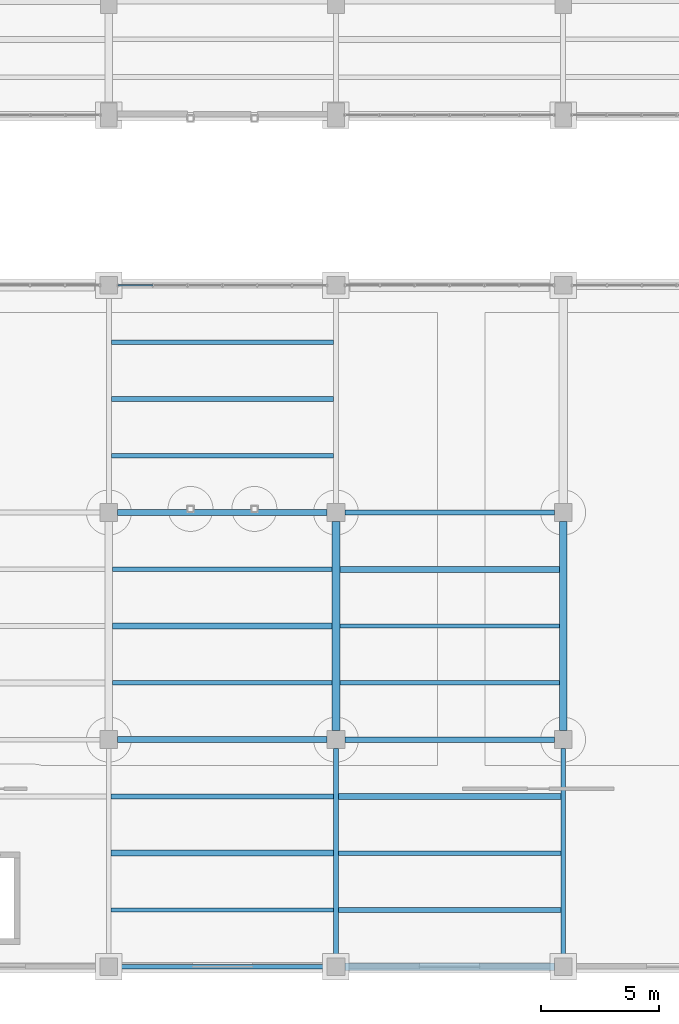
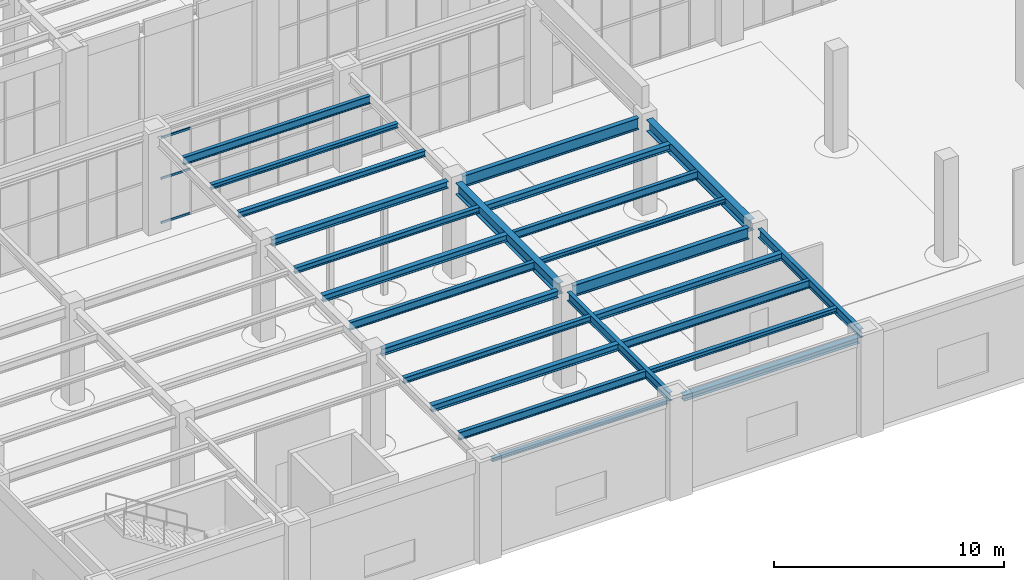
# One storey, part 91 of 164: 25 beams, 3 members, 1 element without a shape of its own.
"""IFC4 building model written with IfcOpenShell, lengths in metres."""

from ifc_helpers import new_model, si_unit, direction, frame, origin, origin_2d, place, context, subcontext, project, spatial, hollow_rectangle, i_section, extrude, material, material_profile, profile_set, type_object, element, aggregate, save


model = new_model("IFC4")

# Units and contexts
model_context = context("Model", 3, precision=1e-05, world=origin(), true_north=direction((0.0, 1.0)))
body_context = subcontext(model_context, "Body", "Model", "MODEL_VIEW")
ifc_project = project(units=[si_unit("LENGTHUNIT", "METRE"), si_unit("AREAUNIT", "SQUARE_METRE"), si_unit("VOLUMEUNIT", "CUBIC_METRE"), si_unit("PLANEANGLEUNIT", "RADIAN"), si_unit("MASSUNIT", "GRAM", prefix="KILO")], contexts=[model_context])

# Site, building, storey
site_placement = place(None, origin())
site = spatial("IfcSite", under=ifc_project, at=site_placement, CompositionType="ELEMENT")
building_placement = place(site_placement, origin())
building = spatial("IfcBuilding", under=site, at=building_placement, Name="Mavantir Sound Aquarium", CompositionType="ELEMENT")
storey_placement = place(building_placement, origin())
storey = spatial("IfcBuildingStorey", under=building, at=storey_placement, Name="L00", CompositionType="ELEMENT", Elevation=0.0)

# Beams
ifc_material_1 = material(Name="Structural Steel ASTM A992 Gr50", Category="steel")
ifc_material_profile_1 = material_profile(ifc_material_1, i_section(OverallWidth=0.202880859375, OverallDepth=0.202880859375, WebThickness=0.007080078125, FlangeThickness=0.010986328125, FilletRadius=0.010009765625, at=origin_2d()), Name="W200X46")
ifc_profile_set_1 = profile_set([ifc_material_profile_1], Name="Structural Steel ASTM A992 Gr50")
beam_type_1 = type_object("IfcBeamType", Name="BM-W200X46-E", PredefinedType="LINTEL", material=ifc_profile_set_1)
beam_1_placement = place(storey_placement, frame((127.574951171875, 0.0, 4.944580078125), z_axis=(1.0, 0.0, 0.0), x_axis=(0.0, 1.0, 0.0)))
element("IfcBeam", 1, at=beam_1_placement, inside=storey, type_object=beam_type_1, Name="L00 primary beam SL-20 1072", PredefinedType="LINTEL", context=body_context, shape_type="SweptSolid", body=[
    extrude(i_section(OverallWidth=0.202880859375, OverallDepth=0.202880859375, WebThickness=0.007080078125, FlangeThickness=0.010986328125, FilletRadius=0.010009765625, at=origin_2d()), origin(), (0.0, 0.0, 1.0), 8.85009765625),
])
ifc_material_profile_2 = material_profile(ifc_material_1, i_section(OverallWidth=0.202880859375, OverallDepth=0.251953125, WebThickness=0.008056640625, FlangeThickness=0.013427734375, FilletRadius=0.011962890625, at=origin_2d()), Name="W250X58")
ifc_profile_set_2 = profile_set([ifc_material_profile_2], Name="Structural Steel ASTM A992 Gr50")
beam_type_2 = type_object("IfcBeamType", Name="BM-W250X58-I", PredefinedType="JOIST", material=ifc_profile_set_2)
beam_2_placement = place(storey_placement, frame((136.89697265625, 2.39990234375, 4.919921875), z_axis=(1.0, 0.0, 0.0), x_axis=(0.0, 1.0, 0.0)))
element("IfcBeam", 2, at=beam_2_placement, inside=storey, type_object=beam_type_2, Name="L00 secondary floor joist SJ-25 616", PredefinedType="JOIST", context=body_context, shape_type="SweptSolid", body=[
    extrude(i_section(OverallWidth=0.202880859375, OverallDepth=0.251953125, WebThickness=0.008056640625, FlangeThickness=0.013427734375, FilletRadius=0.011962890625, at=origin_2d()), origin(), (0.0, 0.0, 1.0), 9.406005859375),
])
beam_3_placement = place(storey_placement, frame((136.9619140625, 12.0, 4.919921875), z_axis=(1.0, 0.0, 0.0), x_axis=(0.0, 1.0, 0.0)))
element("IfcBeam", 3, at=beam_3_placement, inside=storey, type_object=beam_type_2, Name="L00 secondary floor joist SJ-25 628", PredefinedType="JOIST", context=body_context, shape_type="SweptSolid", body=[
    extrude(i_section(OverallWidth=0.202880859375, OverallDepth=0.251953125, WebThickness=0.008056640625, FlangeThickness=0.013427734375, FilletRadius=0.011962890625, at=origin_2d()), origin(), (0.0, 0.0, 1.0), 9.276123046875),
])
beam_4_placement = place(storey_placement, frame((127.305908203125, 24.0, 4.989990234375), z_axis=(1.0, 0.0, 0.0), x_axis=(0.0, 1.0, 0.0)))
element("IfcBeam", 4, at=beam_4_placement, inside=storey, type_object=beam_type_2, Name="L00 secondary floor joist SJ-25 632", PredefinedType="JOIST", context=body_context, shape_type="SweptSolid", body=[
    extrude(i_section(OverallWidth=0.202880859375, OverallDepth=0.251953125, WebThickness=0.008056640625, FlangeThickness=0.013427734375, FilletRadius=0.011962890625, at=origin_2d()), origin(), (0.0, 0.0, 1.0), 9.38818359375),
])
ifc_material_profile_3 = material_profile(ifc_material_1, i_section(OverallWidth=0.205078125, OverallDepth=0.31005859375, WebThickness=0.009521484375, FlangeThickness=0.016357421875, FilletRadius=0.012939453125, at=origin_2d()), Name="W310X74")
ifc_profile_set_3 = profile_set([ifc_material_profile_3], Name="Structural Steel ASTM A992 Gr50")
beam_type_3 = type_object("IfcBeamType", Name="BM-W310X74-I", PredefinedType="JOIST", material=ifc_profile_set_3)
beam_5_placement = place(storey_placement, frame((127.297119140625, 7.199951171875, 4.89111328125), z_axis=(1.0, 0.0, 0.0), x_axis=(0.0, 1.0, 0.0)))
element("IfcBeam", 5, at=beam_5_placement, inside=storey, type_object=beam_type_3, Name="L00 secondary floor joist SJ-31 615", PredefinedType="JOIST", context=body_context, shape_type="SweptSolid", body=[
    extrude(i_section(OverallWidth=0.205078125, OverallDepth=0.31005859375, WebThickness=0.009521484375, FlangeThickness=0.016357421875, FilletRadius=0.012939453125, at=origin_2d()), origin(), (0.0, 0.0, 1.0), 9.40576171875),
])
beam_6_placement = place(storey_placement, frame((127.362060546875, 16.800048828125, 4.89111328125), z_axis=(1.0, 0.0, 0.0), x_axis=(0.0, 1.0, 0.0)))
element("IfcBeam", 6, at=beam_6_placement, inside=storey, type_object=beam_type_3, Name="L00 secondary floor joist SJ-31 627", PredefinedType="JOIST", context=body_context, shape_type="SweptSolid", body=[
    extrude(i_section(OverallWidth=0.205078125, OverallDepth=0.31005859375, WebThickness=0.009521484375, FlangeThickness=0.016357421875, FilletRadius=0.012939453125, at=origin_2d()), origin(), (0.0, 0.0, 1.0), 9.27587890625),
])
beam_7_placement = place(storey_placement, frame((127.305908203125, 21.60009765625, 4.9609375), z_axis=(1.0, 0.0, 0.0), x_axis=(0.0, 1.0, 0.0)))
element("IfcBeam", 7, at=beam_7_placement, inside=storey, type_object=beam_type_3, Name="L00 secondary floor joist SJ-31 631", PredefinedType="JOIST", context=body_context, shape_type="SweptSolid", body=[
    extrude(i_section(OverallWidth=0.205078125, OverallDepth=0.31005859375, WebThickness=0.009521484375, FlangeThickness=0.016357421875, FilletRadius=0.012939453125, at=origin_2d()), origin(), (0.0, 0.0, 1.0), 9.38818359375),
])
ifc_material_profile_4 = material_profile(ifc_material_1, i_section(OverallWidth=0.304931640625, OverallDepth=0.30810546875, WebThickness=0.010009765625, FlangeThickness=0.015380859375, FilletRadius=0.014892578125, at=origin_2d()), Name="W310X97")
ifc_profile_set_4 = profile_set([ifc_material_profile_4], Name="Structural Steel ASTM A992 Gr50")
beam_type_4 = type_object("IfcBeamType", Name="BM-W310X97-E", PredefinedType="SPANDREL", material=ifc_profile_set_4)
beam_8_placement = place(storey_placement, frame((137.175048828125, 0.0, 4.89208984375), z_axis=(1.0, 0.0, 0.0), x_axis=(0.0, 1.0, 0.0)))
element("IfcBeam", 8, at=beam_8_placement, inside=storey, type_object=beam_type_4, Name="L00 primary beam SS-31A 1073", PredefinedType="SPANDREL", context=body_context, shape_type="SweptSolid", body=[
    extrude(i_section(OverallWidth=0.304931640625, OverallDepth=0.30810546875, WebThickness=0.010009765625, FlangeThickness=0.015380859375, FilletRadius=0.014892578125, at=origin_2d()), origin(), (0.0, 0.0, 1.0), 8.849853515625),
])
ifc_material_profile_5 = material_profile(ifc_material_1, i_section(OverallWidth=0.257080078125, OverallDepth=0.363037109375, WebThickness=0.012939453125, FlangeThickness=0.021728515625, FilletRadius=0.014892578125, at=origin_2d()), Name="W360X122")
ifc_profile_set_5 = profile_set([ifc_material_profile_5], Name="Structural Steel ASTM A992 Gr50")
beam_type_5 = type_object("IfcBeamType", Name="BM-W360X122-I", PredefinedType="BEAM", material=ifc_profile_set_5)
for number, where, z_axis, x_axis, name in (
    (9, (127.574951171875, 9.60009765625, 4.864501953125), (1.0, 0.0, 0.0), (0.0, 1.0, 0.0), "L00 primary beam SB-36A 1076"),
    (10, (127.574951171875, 19.199951171875, 4.864501953125), (1.0, 0.0, 0.0), (0.0, 1.0, 0.0), "L00 primary beam SB-36A 1080"),
):
    element("IfcBeam", number, at=place(storey_placement, frame(where, z_axis=z_axis, x_axis=x_axis)), inside=storey, type_object=beam_type_5, Name=name, PredefinedType="BEAM", context=body_context, shape_type="SweptSolid", body=[
        extrude(i_section(OverallWidth=0.257080078125, OverallDepth=0.363037109375, WebThickness=0.012939453125, FlangeThickness=0.021728515625, FilletRadius=0.014892578125, at=origin_2d()), origin(), (0.0, 0.0, 1.0), 8.85009765625),
    ])
ifc_material_profile_6 = material_profile(ifc_material_1, i_section(OverallWidth=0.25390625, OverallDepth=0.35302734375, WebThickness=0.009521484375, FlangeThickness=0.016357421875, FilletRadius=0.014892578125, at=origin_2d()), Name="W360X91")
ifc_profile_set_6 = profile_set([ifc_material_profile_6], Name="Structural Steel ASTM A992 Gr50")
beam_type_6 = type_object("IfcBeamType", Name="BM-W360X91-I", PredefinedType="JOIST", material=ifc_profile_set_6)
beam_9_placement = place(storey_placement, frame((127.297119140625, 4.800048828125, 4.869384765625), z_axis=(1.0, 0.0, 0.0), x_axis=(0.0, 1.0, 0.0)))
element("IfcBeam", 11, at=beam_9_placement, inside=storey, type_object=beam_type_6, Name="L00 secondary floor joist SJ-36 614", PredefinedType="JOIST", context=body_context, shape_type="SweptSolid", body=[
    extrude(i_section(OverallWidth=0.25390625, OverallDepth=0.35302734375, WebThickness=0.009521484375, FlangeThickness=0.016357421875, FilletRadius=0.014892578125, at=origin_2d()), origin(), (0.0, 0.0, 1.0), 9.40576171875),
])
beam_10_placement = place(storey_placement, frame((136.89697265625, 7.199951171875, 4.869384765625), z_axis=(1.0, 0.0, 0.0), x_axis=(0.0, 1.0, 0.0)))
element("IfcBeam", 12, at=beam_10_placement, inside=storey, type_object=beam_type_6, Name="L00 secondary floor joist SJ-36 618", PredefinedType="JOIST", context=body_context, shape_type="SweptSolid", body=[
    extrude(i_section(OverallWidth=0.25390625, OverallDepth=0.35302734375, WebThickness=0.009521484375, FlangeThickness=0.016357421875, FilletRadius=0.014892578125, at=origin_2d()), origin(), (0.0, 0.0, 1.0), 9.406005859375),
])
beam_11_placement = place(storey_placement, frame((127.362060546875, 14.39990234375, 4.869384765625), z_axis=(1.0, 0.0, 0.0), x_axis=(0.0, 1.0, 0.0)))
element("IfcBeam", 13, at=beam_11_placement, inside=storey, type_object=beam_type_6, Name="L00 secondary floor joist SJ-36 626", PredefinedType="JOIST", context=body_context, shape_type="SweptSolid", body=[
    extrude(i_section(OverallWidth=0.25390625, OverallDepth=0.35302734375, WebThickness=0.009521484375, FlangeThickness=0.016357421875, FilletRadius=0.014892578125, at=origin_2d()), origin(), (0.0, 0.0, 1.0), 9.27587890625),
])
beam_12_placement = place(storey_placement, frame((136.9619140625, 16.800048828125, 4.869384765625), z_axis=(1.0, 0.0, 0.0), x_axis=(0.0, 1.0, 0.0)))
element("IfcBeam", 14, at=beam_12_placement, inside=storey, type_object=beam_type_6, Name="L00 secondary floor joist SJ-36 630", PredefinedType="JOIST", context=body_context, shape_type="SweptSolid", body=[
    extrude(i_section(OverallWidth=0.25390625, OverallDepth=0.35302734375, WebThickness=0.009521484375, FlangeThickness=0.016357421875, FilletRadius=0.014892578125, at=origin_2d()), origin(), (0.0, 0.0, 1.0), 9.276123046875),
])
ifc_material_profile_7 = material_profile(ifc_material_1, i_section(OverallWidth=0.180908203125, OverallDepth=0.4169921875, WebThickness=0.010986328125, FlangeThickness=0.018310546875, FilletRadius=0.014892578125, at=origin_2d()), Name="W410X85")
ifc_profile_set_7 = profile_set([ifc_material_profile_7], Name="Structural Steel ASTM A992 Gr50")
beam_type_7 = type_object("IfcBeamType", Name="BM-W410X85-I", PredefinedType="JOIST", material=ifc_profile_set_7)
beam_13_placement = place(storey_placement, frame((127.297119140625, 2.39990234375, 4.83740234375), z_axis=(1.0, 0.0, 0.0), x_axis=(0.0, 1.0, 0.0)))
element("IfcBeam", 15, at=beam_13_placement, inside=storey, type_object=beam_type_7, Name="L00 secondary floor joist SJ-41 613", PredefinedType="JOIST", context=body_context, shape_type="SweptSolid", body=[
    extrude(i_section(OverallWidth=0.180908203125, OverallDepth=0.4169921875, WebThickness=0.010986328125, FlangeThickness=0.018310546875, FilletRadius=0.014892578125, at=origin_2d()), origin(), (0.0, 0.0, 1.0), 9.40576171875),
])
beam_14_placement = place(storey_placement, frame((136.89697265625, 4.800048828125, 4.83740234375), z_axis=(1.0, 0.0, 0.0), x_axis=(0.0, 1.0, 0.0)))
element("IfcBeam", 16, at=beam_14_placement, inside=storey, type_object=beam_type_7, Name="L00 secondary floor joist SJ-41 617", PredefinedType="JOIST", context=body_context, shape_type="SweptSolid", body=[
    extrude(i_section(OverallWidth=0.180908203125, OverallDepth=0.4169921875, WebThickness=0.010986328125, FlangeThickness=0.018310546875, FilletRadius=0.014892578125, at=origin_2d()), origin(), (0.0, 0.0, 1.0), 9.406005859375),
])
beam_15_placement = place(storey_placement, frame((127.362060546875, 12.0, 4.83740234375), z_axis=(1.0, 0.0, 0.0), x_axis=(0.0, 1.0, 0.0)))
element("IfcBeam", 17, at=beam_15_placement, inside=storey, type_object=beam_type_7, Name="L00 secondary floor joist SJ-41 625", PredefinedType="JOIST", context=body_context, shape_type="SweptSolid", body=[
    extrude(i_section(OverallWidth=0.180908203125, OverallDepth=0.4169921875, WebThickness=0.010986328125, FlangeThickness=0.018310546875, FilletRadius=0.014892578125, at=origin_2d()), origin(), (0.0, 0.0, 1.0), 9.27587890625),
])
beam_16_placement = place(storey_placement, frame((136.9619140625, 14.39990234375, 4.83740234375), z_axis=(1.0, 0.0, 0.0), x_axis=(0.0, 1.0, 0.0)))
element("IfcBeam", 18, at=beam_16_placement, inside=storey, type_object=beam_type_7, Name="L00 secondary floor joist SJ-41 629", PredefinedType="JOIST", context=body_context, shape_type="SweptSolid", body=[
    extrude(i_section(OverallWidth=0.180908203125, OverallDepth=0.4169921875, WebThickness=0.010986328125, FlangeThickness=0.018310546875, FilletRadius=0.014892578125, at=origin_2d()), origin(), (0.0, 0.0, 1.0), 9.276123046875),
])
beam_17_placement = place(storey_placement, frame((127.305908203125, 26.39990234375, 4.907470703125), z_axis=(1.0, 0.0, 0.0), x_axis=(0.0, 1.0, 0.0)))
element("IfcBeam", 19, at=beam_17_placement, inside=storey, type_object=beam_type_7, Name="L00 secondary floor joist SJ-41 633", PredefinedType="JOIST", context=body_context, shape_type="SweptSolid", body=[
    extrude(i_section(OverallWidth=0.180908203125, OverallDepth=0.4169921875, WebThickness=0.010986328125, FlangeThickness=0.018310546875, FilletRadius=0.014892578125, at=origin_2d()), origin(), (0.0, 0.0, 1.0), 9.38818359375),
])
ifc_material_profile_8 = material_profile(ifc_material_1, i_section(OverallWidth=0.194091796875, OverallDepth=0.468994140625, WebThickness=0.0126953125, FlangeThickness=0.0205078125, FilletRadius=0.01611328125, at=origin_2d()), Name="W460X106")
ifc_profile_set_8 = profile_set([ifc_material_profile_8], Name="Structural Steel ASTM A992 Gr50")
beam_type_8 = type_object("IfcBeamType", Name="BM-W460X106-I", PredefinedType="BEAM", material=ifc_profile_set_8)
for number, where, z_axis, x_axis, name in (
    (20, (136.800048828125, 0.375, 4.8115234375), (0.0, 1.0, 0.0), (-1.0, 0.0, 0.0), "L00 primary girder SB-46 1095"),
    (21, (146.39990234375, 0.375, 4.8115234375), (0.0, 1.0, 0.0), (-1.0, 0.0, 0.0), "L00 primary girder SB-46 1098"),
):
    element("IfcBeam", number, at=place(storey_placement, frame(where, z_axis=z_axis, x_axis=x_axis)), inside=storey, type_object=beam_type_8, Name=name, PredefinedType="BEAM", context=body_context, shape_type="SweptSolid", body=[
        extrude(i_section(OverallWidth=0.194091796875, OverallDepth=0.468994140625, WebThickness=0.0126953125, FlangeThickness=0.0205078125, FilletRadius=0.01611328125, at=origin_2d()), origin(), (0.0, 0.0, 1.0), 8.85009765625),
    ])
ifc_material_profile_9 = material_profile(ifc_material_1, i_section(OverallWidth=0.22900390625, OverallDepth=0.612060546875, WebThickness=0.011962890625, FlangeThickness=0.01953125, FilletRadius=0.01904296875, at=origin_2d()), Name="W610X125")
ifc_profile_set_9 = profile_set([ifc_material_profile_9], Name="Structural Steel ASTM A992 Gr50")
beam_type_9 = type_object("IfcBeamType", Name="BM-W610X125-I", PredefinedType="BEAM", material=ifc_profile_set_9)
for number, where, z_axis, x_axis, name in (
    (22, (137.175048828125, 9.60009765625, 4.739990234375), (1.0, 0.0, 0.0), (0.0, 1.0, 0.0), "L00 primary beam SB-61B 1077"),
    (23, (137.175048828125, 19.199951171875, 4.739990234375), (1.0, 0.0, 0.0), (0.0, 1.0, 0.0), "L00 primary beam SB-61B 1081"),
):
    element("IfcBeam", number, at=place(storey_placement, frame(where, z_axis=z_axis, x_axis=x_axis)), inside=storey, type_object=beam_type_9, Name=name, PredefinedType="BEAM", context=body_context, shape_type="SweptSolid", body=[
        extrude(i_section(OverallWidth=0.22900390625, OverallDepth=0.612060546875, WebThickness=0.011962890625, FlangeThickness=0.01953125, FilletRadius=0.01904296875, at=origin_2d()), origin(), (0.0, 0.0, 1.0), 8.849853515625),
    ])
ifc_material_profile_10 = material_profile(ifc_material_1, i_section(OverallWidth=0.323974609375, OverallDepth=0.611083984375, WebThickness=0.0126953125, FlangeThickness=0.01904296875, FilletRadius=0.01904296875, at=origin_2d()), Name="W610X155")
ifc_profile_set_10 = profile_set([ifc_material_profile_10], Name="Structural Steel ASTM A992 Gr50")
beam_type_10 = type_object("IfcBeamType", Name="BM-W610X155-I", PredefinedType="BEAM", material=ifc_profile_set_10)
for number, where, z_axis, x_axis, name in (
    (24, (136.800048828125, 9.97509765625, 4.740478515625), (0.0, 1.0, 0.0), (-1.0, 0.0, 0.0), "L00 primary girder SB-61A 1096"),
    (25, (146.39990234375, 9.97509765625, 4.740478515625), (0.0, 1.0, 0.0), (-1.0, 0.0, 0.0), "L00 primary girder SB-61A 1099"),
):
    element("IfcBeam", number, at=place(storey_placement, frame(where, z_axis=z_axis, x_axis=x_axis)), inside=storey, type_object=beam_type_10, Name=name, PredefinedType="BEAM", context=body_context, shape_type="SweptSolid", body=[
        extrude(i_section(OverallWidth=0.323974609375, OverallDepth=0.611083984375, WebThickness=0.0126953125, FlangeThickness=0.01904296875, FilletRadius=0.01904296875, at=origin_2d()), origin(), (0.0, 0.0, 1.0), 8.849853515625),
    ])

# Curtain wall, members
ifc_material_2 = material(Name="Anodised Marine Aluminium and Low-E Glass", Category="aluminium")
curtain_wall_type = type_object("IfcCurtainWallType", Name="CW-T03", PredefinedType="USERDEFINED", material=ifc_material_2)
curtain_wall_placement = place(storey_placement, origin())
curtain_wall = element("IfcCurtainWall", 26, at=curtain_wall_placement, inside=storey, type_object=curtain_wall_type, Name="L00 unitised curtain wall CW-03 51", ObjectType="UNITISED GLAZING", PredefinedType="USERDEFINED")
ifc_material_3 = material(Name="Anodised Marine Aluminium 6063-T6", Category="aluminium")
ifc_material_profile_11 = material_profile(ifc_material_3, hollow_rectangle(XDim=0.06005859375, YDim=0.110107421875, WallThickness=0.00390625, at=origin_2d()), Name="ALU-TRANSOM-110X60")
ifc_profile_set_11 = profile_set([ifc_material_profile_11], Name="Anodised Marine Aluminium 6063-T6")
member_type = type_object("IfcMemberType", Name="CW-TRN-110", PredefinedType="USERDEFINED", material=ifc_profile_set_11)
member_1_placement = place(storey_placement, frame((129.055419921875, 28.800048828125, 0.054931640625), z_axis=(-1.0, 0.0, 0.0), x_axis=(0.0, -1.0, 0.0)))
member_1 = element("IfcMember", 27, at=member_1_placement, type_object=member_type, Name="CW-L00-051 transom 6.1", ObjectType="TRANSOM", PredefinedType="USERDEFINED", context=body_context, shape_type="SweptSolid", body=[
    extrude(hollow_rectangle(XDim=0.06005859375, YDim=0.110107421875, WallThickness=0.00390625, at=origin_2d()), origin(), (0.0, 0.0, 1.0), 1.472412109375),
])
member_2_placement = place(storey_placement, frame((129.055419921875, 28.800048828125, 2.40283203125), z_axis=(-1.0, 0.0, 0.0), x_axis=(0.0, -1.0, 0.0)))
member_2 = element("IfcMember", 28, at=member_2_placement, type_object=member_type, Name="CW-L00-051 transom 6.2", ObjectType="TRANSOM", PredefinedType="USERDEFINED", context=body_context, shape_type="SweptSolid", body=[
    extrude(hollow_rectangle(XDim=0.06005859375, YDim=0.110107421875, WallThickness=0.00390625, at=origin_2d()), origin(), (0.0, 0.0, 1.0), 1.472412109375),
])
member_3_placement = place(storey_placement, frame((129.055419921875, 28.800048828125, 4.56591796875), z_axis=(-1.0, 0.0, 0.0), x_axis=(0.0, -1.0, 0.0)))
member_3 = element("IfcMember", 29, at=member_3_placement, type_object=member_type, Name="CW-L00-051 transom 6.3", ObjectType="TRANSOM", PredefinedType="USERDEFINED", context=body_context, shape_type="SweptSolid", body=[
    extrude(hollow_rectangle(XDim=0.06005859375, YDim=0.110107421875, WallThickness=0.00390625, at=origin_2d()), origin(), (0.0, 0.0, 1.0), 1.472412109375),
])
aggregate(curtain_wall, [member_1, member_2, member_3])

save(model, "model.ifc")
